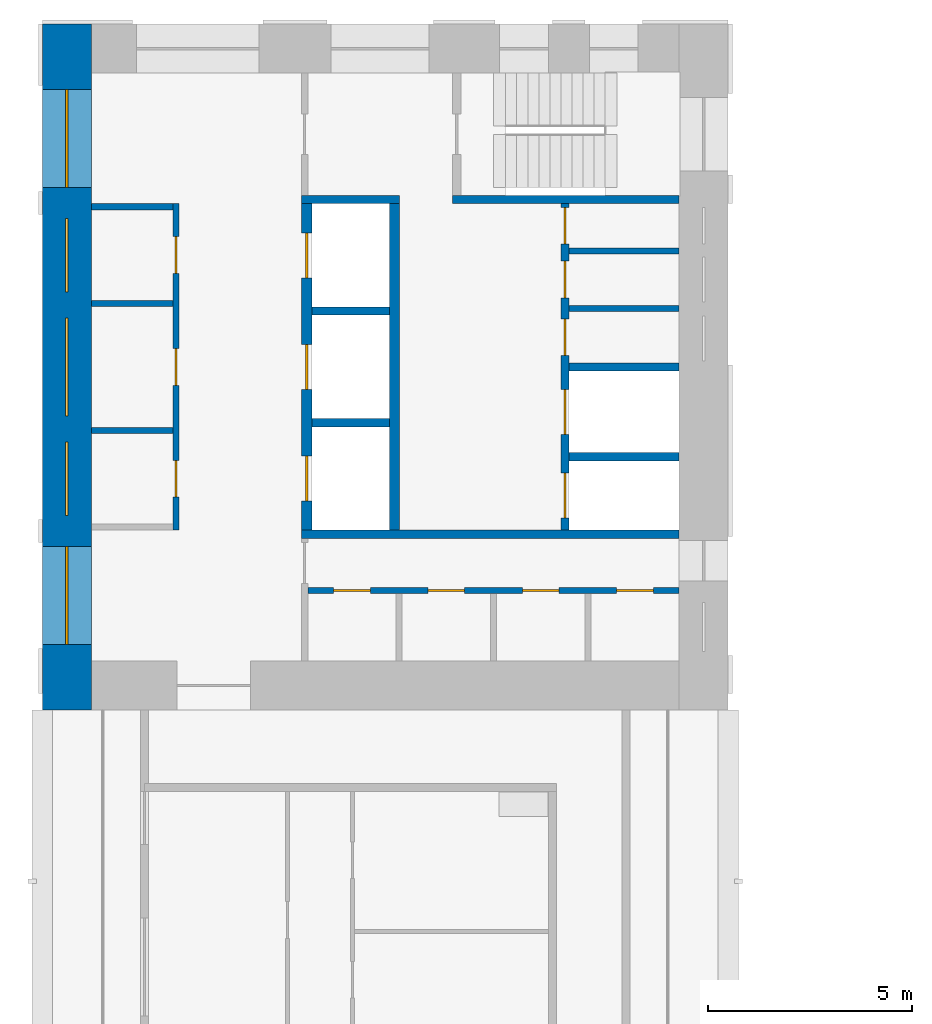
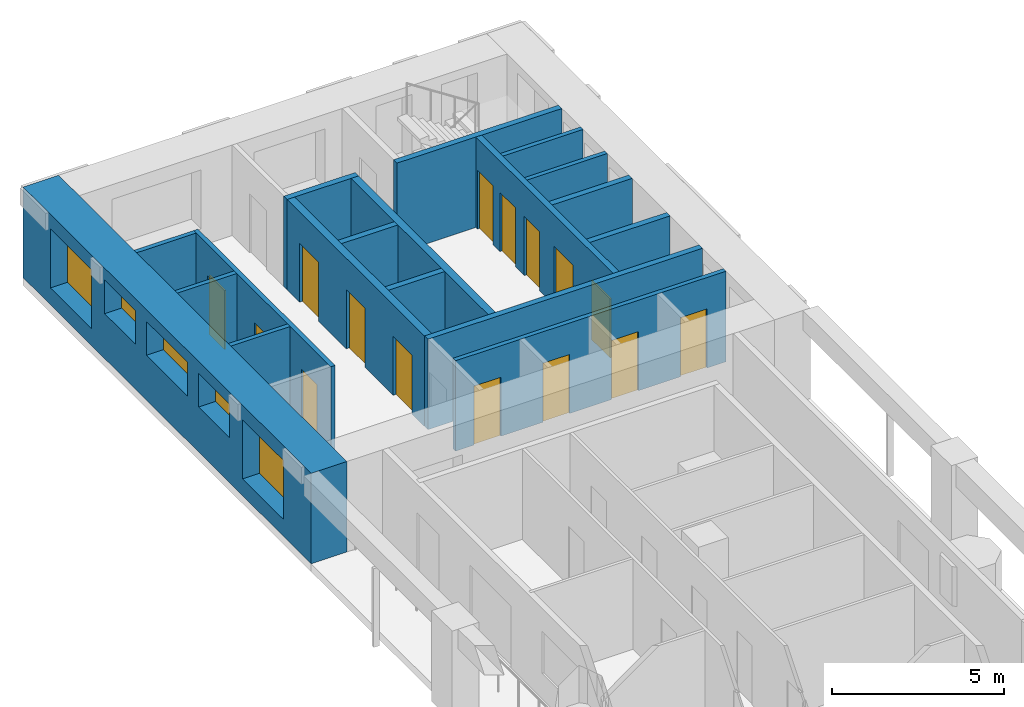
# One storey, part 6 of 13: 18 walls, 15 doors, 5 windows, 20 openings.
"""IFC4 building model written with IfcOpenShell, lengths in metres."""

from ifc_helpers import new_model, si_unit, direction, frame, frame_2d, origin, place, context, subcontext, project, spatial, rectangle, extrude, material, layer, layer_set, type_object, element, fill, save


model = new_model("IFC4")

# Units and contexts
model_context = context("Model", 3, precision=1e-05, world=origin(), true_north=direction((0.0, 1.0)))
body_context = subcontext(model_context, "Body", "Model", "MODEL_VIEW")
ifc_project = project(units=[si_unit("LENGTHUNIT", "METRE"), si_unit("AREAUNIT", "SQUARE_METRE"), si_unit("VOLUMEUNIT", "CUBIC_METRE"), si_unit("PLANEANGLEUNIT", "RADIAN"), si_unit("MASSUNIT", "GRAM", prefix="KILO")], contexts=[model_context])

# Site, building, storey
site_placement = place(None, origin())
site = spatial("IfcSite", under=ifc_project, at=site_placement, CompositionType="ELEMENT")
building_placement = place(site_placement, origin())
building = spatial("IfcBuilding", under=site, at=building_placement, Name="Vermilion Gate Residences", CompositionType="ELEMENT")
storey_placement = place(building_placement, frame((0.0, 0.0, 158.199951171875)))
storey = spatial("IfcBuildingStorey", under=building, at=storey_placement, Name="L40", CompositionType="ELEMENT", Elevation=158.199951171875)

# Walls
ifc_material_1 = material(Name="Masonry blockwork", Category="masonry")
ifc_layer_1 = layer(ifc_material_1, 0.14990234375)
ifc_layer_set_1 = layer_set([ifc_layer_1], Name="BLOCKWORK PARTITION 150 EI 120")
wall_type_1 = type_object("IfcWallType", Name="BLOCKWORK PARTITION 150 EI 120", PredefinedType="PARTITIONING", material=ifc_layer_set_1)
for number, where, z_axis, x_axis, name in (
    (1, (9.60009765625, 54.324951171875, 0.0), (0.0, 0.0, 1.0), (1.0, 0.0, 0.0), "Core room partition B40-RW-W"),
    (2, (9.60009765625, 51.955078125, 0.0), (0.0, 0.0, 1.0), (1.0, 0.0, 0.0), "Core room partition B40-SR-P0"),
    (3, (9.60009765625, 48.844970703125, 0.0), (0.0, 0.0, 1.0), (1.0, 0.0, 0.0), "Core room partition B40-SR-P1"),
):
    element("IfcWall", number, at=place(storey_placement, frame(where, z_axis=z_axis, x_axis=x_axis)), inside=storey, type_object=wall_type_1, Name=name, PredefinedType="PARTITIONING", context=body_context, shape_type="SweptSolid", body=[
        extrude(rectangle(XDim=2.0, YDim=0.14990234375, at=frame_2d((1.0, 0.0))), origin(), (0.0, 0.0, 1.0), 3.219970703125),
    ])

# Wall, openings, doors
wall_1_placement = place(storey_placement, frame((11.675048828125, 54.39990234375, 0.0), z_axis=(0.0, 0.0, 1.0), x_axis=(0.0, -1.0, 0.0)))
wall_1 = element("IfcWall", 4, at=wall_1_placement, inside=storey, type_object=wall_type_1, Name="Core room partition B40-LR-F", PredefinedType="PARTITIONING", context=body_context, shape_type="SweptSolid", body=[
    extrude(rectangle(XDim=8.0, YDim=0.14990234375, at=frame_2d((4.0, 0.0))), origin(), (0.0, 0.0, 1.0), 3.219970703125),
])
opening_1_placement = place(wall_1_placement, frame((0.81005859375, 0.0, 0.0)))
opening_1 = element("IfcOpeningElement", 5, at=opening_1_placement, cuts=wall_1, Name="Opening DK40102", PredefinedType="OPENING", context=body_context, shape_type="SweptSolid", body=[
    extrude(rectangle(XDim=0.89990234375, YDim=2.10009765625, at=frame_2d((0.449951171875, 1.050048828125))), frame((0.0, 0.0849609375, 0.0), z_axis=(0.0, -1.0, 0.0), x_axis=(1.0, 0.0, 0.0)), (0.0, 0.0, 1.0), 0.169921875),
])
opening_2_placement = place(wall_1_placement, frame((3.550048828125, 0.0, 0.0)))
opening_2 = element("IfcOpeningElement", 6, at=opening_2_placement, cuts=wall_1, Name="Opening DK40103", PredefinedType="OPENING", context=body_context, shape_type="SweptSolid", body=[
    extrude(rectangle(XDim=0.89990234375, YDim=2.10009765625, at=frame_2d((0.449951171875, 1.050048828125))), frame((0.0, 0.0849609375, 0.0), z_axis=(0.0, -1.0, 0.0), x_axis=(1.0, 0.0, 0.0)), (0.0, 0.0, 1.0), 0.169921875),
])
opening_3_placement = place(wall_1_placement, frame((6.2900390625, 0.0, 0.0)))
opening_3 = element("IfcOpeningElement", 7, at=opening_3_placement, cuts=wall_1, Name="Opening DK40104", PredefinedType="OPENING", context=body_context, shape_type="SweptSolid", body=[
    extrude(rectangle(XDim=0.89990234375, YDim=2.10009765625, at=frame_2d((0.449951171875, 1.050048828125))), frame((0.0, 0.0849609375, 0.0), z_axis=(0.0, -1.0, 0.0), x_axis=(1.0, 0.0, 0.0)), (0.0, 0.0, 1.0), 0.169921875),
])
ifc_material_2 = material(Name="Steel", Category="steel")
door_type_1 = type_object("IfcDoorType", Name="SERVICE ROOM DOOR FD60 900 X 2100", OperationType="SINGLE_SWING_LEFT", PredefinedType="DOOR", material=ifc_material_2)
door_1_placement = place(opening_1_placement, frame((0.89990234375, 0.0, 0.0), z_axis=(0.0, 0.0, 1.0), x_axis=(-1.0, 0.0, 0.0)))
door_1 = element("IfcDoor", 8, at=door_1_placement, inside=storey, type_object=door_type_1, Name="Refuse room B40", OperationType="SINGLE_SWING_LEFT", OverallHeight=2.10009765625, OverallWidth=0.89990234375, PredefinedType="DOOR", context=body_context, shape_type="SweptSolid", body=[
    extrude(rectangle(XDim=0.89990234375, YDim=2.10009765625, at=frame_2d((0.449951171875, 1.050048828125))), frame((0.0, 0.02490234375, 0.0), z_axis=(0.0, -1.0, 0.0), x_axis=(1.0, 0.0, 0.0)), (0.0, 0.0, 1.0), 0.050048828125),
])
fill(opening_1, door_1)
door_2_placement = place(opening_2_placement, frame((0.89990234375, 0.0, 0.0), z_axis=(0.0, 0.0, 1.0), x_axis=(-1.0, 0.0, 0.0)))
door_2 = element("IfcDoor", 9, at=door_2_placement, inside=storey, type_object=door_type_1, Name="Parcel room B40", OperationType="SINGLE_SWING_RIGHT", OverallHeight=2.10009765625, OverallWidth=0.89990234375, PredefinedType="DOOR", context=body_context, shape_type="SweptSolid", body=[
    extrude(rectangle(XDim=0.89990234375, YDim=2.10009765625, at=frame_2d((0.449951171875, 1.050048828125))), frame((0.0, 0.02490234375, 0.0), z_axis=(0.0, -1.0, 0.0), x_axis=(1.0, 0.0, 0.0)), (0.0, 0.0, 1.0), 0.050048828125),
])
fill(opening_2, door_2)
door_3_placement = place(opening_3_placement, frame((0.89990234375, 0.0, 0.0), z_axis=(0.0, 0.0, 1.0), x_axis=(-1.0, 0.0, 0.0)))
door_3 = element("IfcDoor", 10, at=door_3_placement, inside=storey, type_object=door_type_1, Name="Housekeeping store B40", OperationType="SINGLE_SWING_RIGHT", OverallHeight=2.10009765625, OverallWidth=0.89990234375, PredefinedType="DOOR", context=body_context, shape_type="SweptSolid", body=[
    extrude(rectangle(XDim=0.89990234375, YDim=2.10009765625, at=frame_2d((0.449951171875, 1.050048828125))), frame((0.0, 0.02490234375, 0.0), z_axis=(0.0, -1.0, 0.0), x_axis=(1.0, 0.0, 0.0)), (0.0, 0.0, 1.0), 0.050048828125),
])
fill(opening_3, door_3)

# Walls
for number, where, z_axis, x_axis, name in (
    (11, (21.300048828125, 53.2451171875, 0.0), (0.0, 0.0, 1.0), (1.0, 0.0, 0.0), "Core room partition B40-NR-P0"),
    (12, (21.300048828125, 51.8349609375, 0.0), (0.0, 0.0, 1.0), (1.0, 0.0, 0.0), "Core room partition B40-NR-P1"),
):
    element("IfcWall", number, at=place(storey_placement, frame(where, z_axis=z_axis, x_axis=x_axis)), inside=storey, type_object=wall_type_1, Name=name, PredefinedType="PARTITIONING", context=body_context, shape_type="SweptSolid", body=[
        extrude(rectangle(XDim=2.699951171875, YDim=0.14990234375, at=frame_2d((1.35009765625, 0.0))), origin(), (0.0, 0.0, 1.0), 3.219970703125),
    ])

# Wall, openings, doors
wall_2_placement = place(storey_placement, frame((14.89990234375, 44.925048828125, 0.0), z_axis=(0.0, 0.0, 1.0), x_axis=(1.0, 0.0, 0.0)))
wall_2 = element("IfcWall", 13, at=wall_2_placement, inside=storey, type_object=wall_type_1, Name="Core room partition B40-ES-W", PredefinedType="PARTITIONING", context=body_context, shape_type="SweptSolid", body=[
    extrude(rectangle(XDim=9.10009765625, YDim=0.14990234375, at=frame_2d((4.550048828125, 0.0))), origin(), (0.0, 0.0, 1.0), 3.219970703125),
])
opening_4_placement = place(wall_2_placement, frame((0.63134765625, 0.0, 0.0)))
opening_4 = element("IfcOpeningElement", 14, at=opening_4_placement, cuts=wall_2, Name="Opening DK40116", PredefinedType="OPENING", context=body_context, shape_type="SweptSolid", body=[
    extrude(rectangle(XDim=0.89990234375, YDim=2.10009765625, at=frame_2d((0.449951171875, 1.050048828125))), frame((0.0, 0.0849609375, 0.0), z_axis=(0.0, -1.0, 0.0), x_axis=(1.0, 0.0, 0.0)), (0.0, 0.0, 1.0), 0.169921875),
])
opening_5_placement = place(wall_2_placement, frame((2.94384765625, 0.0, 0.0)))
opening_5 = element("IfcOpeningElement", 15, at=opening_5_placement, cuts=wall_2, Name="Opening DK40117", PredefinedType="OPENING", context=body_context, shape_type="SweptSolid", body=[
    extrude(rectangle(XDim=0.89990234375, YDim=2.10009765625, at=frame_2d((0.449951171875, 1.050048828125))), frame((0.0, 0.0849609375, 0.0), z_axis=(0.0, -1.0, 0.0), x_axis=(1.0, 0.0, 0.0)), (0.0, 0.0, 1.0), 0.169921875),
])
opening_6_placement = place(wall_2_placement, frame((5.25634765625, 0.0, 0.0)))
opening_6 = element("IfcOpeningElement", 16, at=opening_6_placement, cuts=wall_2, Name="Opening DK40118", PredefinedType="OPENING", context=body_context, shape_type="SweptSolid", body=[
    extrude(rectangle(XDim=0.89990234375, YDim=2.10009765625, at=frame_2d((0.449951171875, 1.050048828125))), frame((0.0, 0.0849609375, 0.0), z_axis=(0.0, -1.0, 0.0), x_axis=(1.0, 0.0, 0.0)), (0.0, 0.0, 1.0), 0.169921875),
])
opening_7_placement = place(wall_2_placement, frame((7.56884765625, 0.0, 0.0)))
opening_7 = element("IfcOpeningElement", 17, at=opening_7_placement, cuts=wall_2, Name="Opening DK40119", PredefinedType="OPENING", context=body_context, shape_type="SweptSolid", body=[
    extrude(rectangle(XDim=0.89990234375, YDim=2.10009765625, at=frame_2d((0.449951171875, 1.050048828125))), frame((0.0, 0.0849609375, 0.0), z_axis=(0.0, -1.0, 0.0), x_axis=(1.0, 0.0, 0.0)), (0.0, 0.0, 1.0), 0.169921875),
])
door_4_placement = place(opening_4_placement, frame((0.89990234375, 0.0, 0.0), z_axis=(0.0, 0.0, 1.0), x_axis=(-1.0, 0.0, 0.0)))
door_4 = element("IfcDoor", 18, at=door_4_placement, inside=storey, type_object=door_type_1, Name="Parcel room B40", OperationType="SINGLE_SWING_RIGHT", OverallHeight=2.10009765625, OverallWidth=0.89990234375, PredefinedType="DOOR", context=body_context, shape_type="SweptSolid", body=[
    extrude(rectangle(XDim=0.89990234375, YDim=2.10009765625, at=frame_2d((0.449951171875, 1.050048828125))), frame((0.0, 0.02490234375, 0.0), z_axis=(0.0, -1.0, 0.0), x_axis=(1.0, 0.0, 0.0)), (0.0, 0.0, 1.0), 0.050048828125),
])
fill(opening_4, door_4)
door_5_placement = place(opening_5_placement, frame((0.89990234375, 0.0, 0.0), z_axis=(0.0, 0.0, 1.0), x_axis=(-1.0, 0.0, 0.0)))
door_5 = element("IfcDoor", 19, at=door_5_placement, inside=storey, type_object=door_type_1, Name="Cleaner's store B40", OperationType="SINGLE_SWING_RIGHT", OverallHeight=2.10009765625, OverallWidth=0.89990234375, PredefinedType="DOOR", context=body_context, shape_type="SweptSolid", body=[
    extrude(rectangle(XDim=0.89990234375, YDim=2.10009765625, at=frame_2d((0.449951171875, 1.050048828125))), frame((0.0, 0.02490234375, 0.0), z_axis=(0.0, -1.0, 0.0), x_axis=(1.0, 0.0, 0.0)), (0.0, 0.0, 1.0), 0.050048828125),
])
fill(opening_5, door_5)
door_6_placement = place(opening_6_placement, frame((0.89990234375, 0.0, 0.0), z_axis=(0.0, 0.0, 1.0), x_axis=(-1.0, 0.0, 0.0)))
door_6 = element("IfcDoor", 20, at=door_6_placement, inside=storey, type_object=door_type_1, Name="Electrical room B40", OperationType="SINGLE_SWING_RIGHT", OverallHeight=2.10009765625, OverallWidth=0.89990234375, PredefinedType="DOOR", context=body_context, shape_type="SweptSolid", body=[
    extrude(rectangle(XDim=0.89990234375, YDim=2.10009765625, at=frame_2d((0.449951171875, 1.050048828125))), frame((0.0, 0.02490234375, 0.0), z_axis=(0.0, -1.0, 0.0), x_axis=(1.0, 0.0, 0.0)), (0.0, 0.0, 1.0), 0.050048828125),
])
fill(opening_6, door_6)
door_7_placement = place(opening_7_placement, frame((0.89990234375, 0.0, 0.0), z_axis=(0.0, 0.0, 1.0), x_axis=(-1.0, 0.0, 0.0)))
door_7 = element("IfcDoor", 21, at=door_7_placement, inside=storey, type_object=door_type_1, Name="Storage room B40", OperationType="SINGLE_SWING_RIGHT", OverallHeight=2.10009765625, OverallWidth=0.89990234375, PredefinedType="DOOR", context=body_context, shape_type="SweptSolid", body=[
    extrude(rectangle(XDim=0.89990234375, YDim=2.10009765625, at=frame_2d((0.449951171875, 1.050048828125))), frame((0.0, 0.02490234375, 0.0), z_axis=(0.0, -1.0, 0.0), x_axis=(1.0, 0.0, 0.0)), (0.0, 0.0, 1.0), 0.050048828125),
])
fill(opening_7, door_7)

# Walls
ifc_material_3 = material(Name="Concrete C60", Category="concrete")
ifc_layer_2 = layer(ifc_material_3, 0.199951171875)
ifc_layer_set_2 = layer_set([ifc_layer_2], Name="RC CORE INTERNAL WALL 200 C60")
wall_type_2 = type_object("IfcWallType", Name="RC CORE INTERNAL WALL 200 C60", PredefinedType="SHEAR", material=ifc_layer_set_2)
for number, where, z_axis, x_axis, name in (
    (22, (15.0, 51.7666015625, 0.0), (0.0, 0.0, 1.0), (1.0, 0.0, 0.0), "Core internal wall B40-HR-D1"),
    (23, (15.0, 49.033447265625, 0.0), (0.0, 0.0, 1.0), (1.0, 0.0, 0.0), "Core internal wall B40-HR-D2"),
):
    element("IfcWall", number, at=place(storey_placement, frame(where, z_axis=z_axis, x_axis=x_axis)), inside=storey, type_object=wall_type_2, Name=name, PredefinedType="SHEAR", context=body_context, shape_type="SweptSolid", body=[
        extrude(rectangle(XDim=1.89990234375, YDim=0.199951171875, at=frame_2d((0.949951171875, 0.0))), origin(), (0.0, 0.0, 1.0), 3.219970703125),
    ])
for number, where, z_axis, x_axis, name in (
    (24, (21.300048828125, 50.39990234375, 0.0), (0.0, 0.0, 1.0), (1.0, 0.0, 0.0), "Core internal wall B40-FF-D0"),
    (25, (21.300048828125, 48.199951171875, 0.0), (0.0, 0.0, 1.0), (1.0, 0.0, 0.0), "Core internal wall B40-FF-D1"),
):
    element("IfcWall", number, at=place(storey_placement, frame(where, z_axis=z_axis, x_axis=x_axis)), inside=storey, type_object=wall_type_2, Name=name, PredefinedType="SHEAR", context=body_context, shape_type="SweptSolid", body=[
        extrude(rectangle(XDim=2.699951171875, YDim=0.199951171875, at=frame_2d((1.35009765625, 0.0))), origin(), (0.0, 0.0, 1.0), 3.219970703125),
    ])

# Wall, openings, doors
wall_3_placement = place(storey_placement, frame((21.199951171875, 54.39990234375, 0.0), z_axis=(0.0, 0.0, 1.0), x_axis=(0.0, -1.0, 0.0)))
wall_3 = element("IfcWall", 26, at=wall_3_placement, inside=storey, type_object=wall_type_2, Name="Core internal wall B40-FF-F", PredefinedType="SHEAR", context=body_context, shape_type="SweptSolid", body=[
    extrude(rectangle(XDim=8.0, YDim=0.199951171875, at=frame_2d((4.0, 0.0))), origin(), (0.0, 0.0, 1.0), 3.219970703125),
])
opening_8_placement = place(wall_3_placement, frame((0.090087890625, 0.0, 0.0)))
opening_8 = element("IfcOpeningElement", 27, at=opening_8_placement, cuts=wall_3, Name="Opening DK40108", PredefinedType="OPENING", context=body_context, shape_type="SweptSolid", body=[
    extrude(rectangle(XDim=0.89990234375, YDim=2.10009765625, at=frame_2d((0.449951171875, 1.050048828125))), frame((0.0, 0.10986328125, 0.0), z_axis=(0.0, -1.0, 0.0), x_axis=(1.0, 0.0, 0.0)), (0.0, 0.0, 1.0), 0.219970703125),
])
opening_9_placement = place(wall_3_placement, frame((1.409912109375, 0.0, 0.0)))
opening_9 = element("IfcOpeningElement", 28, at=opening_9_placement, cuts=wall_3, Name="Opening DK40109", PredefinedType="OPENING", context=body_context, shape_type="SweptSolid", body=[
    extrude(rectangle(XDim=0.89990234375, YDim=2.10009765625, at=frame_2d((0.449951171875, 1.050048828125))), frame((0.0, 0.10986328125, 0.0), z_axis=(0.0, -1.0, 0.0), x_axis=(1.0, 0.0, 0.0)), (0.0, 0.0, 1.0), 0.219970703125),
])
opening_10_placement = place(wall_3_placement, frame((2.820068359375, 0.0, 0.0)))
opening_10 = element("IfcOpeningElement", 29, at=opening_10_placement, cuts=wall_3, Name="Opening DK40110", PredefinedType="OPENING", context=body_context, shape_type="SweptSolid", body=[
    extrude(rectangle(XDim=0.89990234375, YDim=2.10009765625, at=frame_2d((0.449951171875, 1.050048828125))), frame((0.0, 0.10986328125, 0.0), z_axis=(0.0, -1.0, 0.0), x_axis=(1.0, 0.0, 0.0)), (0.0, 0.0, 1.0), 0.219970703125),
])
opening_11_placement = place(wall_3_placement, frame((4.550048828125, 0.0, 0.0)))
opening_11 = element("IfcOpeningElement", 30, at=opening_11_placement, cuts=wall_3, Name="Opening LD", PredefinedType="OPENING", context=body_context, shape_type="SweptSolid", body=[
    extrude(rectangle(XDim=1.10009765625, YDim=2.10009765625, at=frame_2d((0.550048828125, 1.050048828125))), frame((0.0, 0.10986328125, 0.0), z_axis=(0.0, -1.0, 0.0), x_axis=(1.0, 0.0, 0.0)), (0.0, 0.0, 1.0), 0.219970703125),
])
opening_12_placement = place(wall_3_placement, frame((6.60009765625, 0.0, 0.0)))
opening_12 = element("IfcOpeningElement", 31, at=opening_12_placement, cuts=wall_3, Name="Opening LD", PredefinedType="OPENING", context=body_context, shape_type="SweptSolid", body=[
    extrude(rectangle(XDim=1.10009765625, YDim=2.10009765625, at=frame_2d((0.550048828125, 1.050048828125))), frame((0.0, 0.10986328125, 0.0), z_axis=(0.0, -1.0, 0.0), x_axis=(1.0, 0.0, 0.0)), (0.0, 0.0, 1.0), 0.219970703125),
])
ifc_material_4 = material(Name="Stainless steel", Category="steel")
door_type_2 = type_object("IfcDoorType", Name="LIFT LANDING DOOR E60 1100 X 2100", OperationType="DOUBLE_DOOR_SLIDING", PredefinedType="DOOR", material=ifc_material_4)
door_8_placement = place(opening_11_placement, origin())
door_8 = element("IfcDoor", 32, at=door_8_placement, inside=storey, type_object=door_type_2, Name="Lift landing door LFB1", OperationType="DOUBLE_DOOR_SLIDING", OverallHeight=2.10009765625, OverallWidth=1.10009765625, PredefinedType="DOOR", context=body_context, shape_type="SweptSolid", body=[
    extrude(rectangle(XDim=1.10009765625, YDim=2.10009765625, at=frame_2d((0.550048828125, 1.050048828125))), frame((0.0, 0.02490234375, 0.0), z_axis=(0.0, -1.0, 0.0), x_axis=(1.0, 0.0, 0.0)), (0.0, 0.0, 1.0), 0.050048828125),
])
fill(opening_11, door_8)
door_9_placement = place(opening_12_placement, origin())
door_9 = element("IfcDoor", 33, at=door_9_placement, inside=storey, type_object=door_type_2, Name="Lift landing door LCB1", OperationType="DOUBLE_DOOR_SLIDING", OverallHeight=2.10009765625, OverallWidth=1.10009765625, PredefinedType="DOOR", context=body_context, shape_type="SweptSolid", body=[
    extrude(rectangle(XDim=1.10009765625, YDim=2.10009765625, at=frame_2d((0.550048828125, 1.050048828125))), frame((0.0, 0.02490234375, 0.0), z_axis=(0.0, -1.0, 0.0), x_axis=(1.0, 0.0, 0.0)), (0.0, 0.0, 1.0), 0.050048828125),
])
fill(opening_12, door_9)
door_10_placement = place(opening_8_placement, origin())
door_10 = element("IfcDoor", 34, at=door_10_placement, inside=storey, type_object=door_type_1, Name="Communications riser B40", OperationType="SINGLE_SWING_RIGHT", OverallHeight=2.10009765625, OverallWidth=0.89990234375, PredefinedType="DOOR", context=body_context, shape_type="SweptSolid", body=[
    extrude(rectangle(XDim=0.89990234375, YDim=2.10009765625, at=frame_2d((0.449951171875, 1.050048828125))), frame((0.0, 0.02490234375, 0.0), z_axis=(0.0, -1.0, 0.0), x_axis=(1.0, 0.0, 0.0)), (0.0, 0.0, 1.0), 0.050048828125),
])
fill(opening_8, door_10)
door_11_placement = place(opening_9_placement, origin())
door_11 = element("IfcDoor", 35, at=door_11_placement, inside=storey, type_object=door_type_1, Name="Refuse room B40", OperationType="SINGLE_SWING_LEFT", OverallHeight=2.10009765625, OverallWidth=0.89990234375, PredefinedType="DOOR", context=body_context, shape_type="SweptSolid", body=[
    extrude(rectangle(XDim=0.89990234375, YDim=2.10009765625, at=frame_2d((0.449951171875, 1.050048828125))), frame((0.0, 0.02490234375, 0.0), z_axis=(0.0, -1.0, 0.0), x_axis=(1.0, 0.0, 0.0)), (0.0, 0.0, 1.0), 0.050048828125),
])
fill(opening_9, door_11)
door_12_placement = place(opening_10_placement, origin())
door_12 = element("IfcDoor", 36, at=door_12_placement, inside=storey, type_object=door_type_1, Name="Parcel room B40", OperationType="SINGLE_SWING_LEFT", OverallHeight=2.10009765625, OverallWidth=0.89990234375, PredefinedType="DOOR", context=body_context, shape_type="SweptSolid", body=[
    extrude(rectangle(XDim=0.89990234375, YDim=2.10009765625, at=frame_2d((0.449951171875, 1.050048828125))), frame((0.0, 0.02490234375, 0.0), z_axis=(0.0, -1.0, 0.0), x_axis=(1.0, 0.0, 0.0)), (0.0, 0.0, 1.0), 0.050048828125),
])
fill(opening_10, door_12)

# Walls
wall_4_placement = place(storey_placement, frame((14.75, 54.5, 0.0), z_axis=(0.0, 0.0, 1.0), x_axis=(1.0, 0.0, 0.0)))
element("IfcWall", 37, at=wall_4_placement, inside=storey, type_object=wall_type_2, Name="Core internal wall B40-WDIV1", PredefinedType="SHEAR", context=body_context, shape_type="SweptSolid", body=[
    extrude(rectangle(XDim=2.39990234375, YDim=0.199951171875, at=frame_2d((1.199951171875, 0.0))), origin(), (0.0, 0.0, 1.0), 3.219970703125),
])
wall_5_placement = place(storey_placement, frame((18.449951171875, 54.5, 0.0), z_axis=(0.0, 0.0, 1.0), x_axis=(1.0, 0.0, 0.0)))
element("IfcWall", 38, at=wall_5_placement, inside=storey, type_object=wall_type_2, Name="Core internal wall B40-WDIV2", PredefinedType="SHEAR", context=body_context, shape_type="SweptSolid", body=[
    extrude(rectangle(XDim=5.550048828125, YDim=0.199951171875, at=frame_2d((2.77490234375, 0.0))), origin(), (0.0, 0.0, 1.0), 3.219970703125),
])
wall_6_placement = place(storey_placement, frame((14.75, 46.300048828125, 0.0), z_axis=(0.0, 0.0, 1.0), x_axis=(1.0, 0.0, 0.0)))
element("IfcWall", 39, at=wall_6_placement, inside=storey, type_object=wall_type_2, Name="Core internal wall B40-EDIV", PredefinedType="SHEAR", context=body_context, shape_type="SweptSolid", body=[
    extrude(rectangle(XDim=9.25, YDim=0.199951171875, at=frame_2d((4.625, 0.0))), origin(), (0.0, 0.0, 1.0), 3.219970703125),
])

# Wall, openings, windows
ifc_material_5 = material(Name="Concrete C60 red-oxide pigmented", Category="concrete")
ifc_layer_3 = layer(ifc_material_5, 1.199951171875)
ifc_layer_set_3 = layer_set([ifc_layer_3], Name="RC CORE WALL 1200 C60 RED OXIDE")
wall_type_3 = type_object("IfcWallType", Name="RC CORE WALL 1200 C60 RED OXIDE", PredefinedType="SHEAR", material=ifc_layer_set_3)
wall_7_placement = place(storey_placement, frame((9.0, 58.800048828125, 0.0), z_axis=(0.0, 0.0, 1.0), x_axis=(0.0, -1.0, 0.0)))
wall_7 = element("IfcWall", 40, at=wall_7_placement, inside=storey, type_object=wall_type_3, Name="Core wall B40-OUT-B0", PredefinedType="SHEAR", context=body_context, shape_type="SweptSolid", body=[
    extrude(rectangle(XDim=16.800048828125, YDim=1.199951171875, at=frame_2d((8.39990234375, 0.0))), origin(), (0.0, 0.0, 1.0), 3.219970703125),
])
opening_13_placement = place(wall_7_placement, frame((1.60009765625, 0.0, 0.60009765625)))
opening_13 = element("IfcOpeningElement", 41, at=opening_13_placement, cuts=wall_7, Name="Opening WKB4001", PredefinedType="OPENING", context=body_context, shape_type="SweptSolid", body=[
    extrude(rectangle(XDim=2.39990234375, YDim=2.10009765625, at=frame_2d((1.199951171875, 1.050048828125))), frame((0.0, 0.60986328125, 0.0), z_axis=(0.0, -1.0, 0.0), x_axis=(1.0, 0.0, 0.0)), (0.0, 0.0, 1.0), 1.219970703125),
])
opening_14_placement = place(wall_7_placement, frame((4.760009765625, 0.0, 1.60009765625)))
opening_14 = element("IfcOpeningElement", 42, at=opening_14_placement, cuts=wall_7, Name="Opening WKB4002", PredefinedType="OPENING", context=body_context, shape_type="SweptSolid", body=[
    extrude(rectangle(XDim=1.800048828125, YDim=1.199951171875, at=frame_2d((0.89990234375, 0.60009765625))), frame((0.0, 0.60986328125, 0.0), z_axis=(0.0, -1.0, 0.0), x_axis=(1.0, 0.0, 0.0)), (0.0, 0.0, 1.0), 1.219970703125),
])
opening_15_placement = place(wall_7_placement, frame((7.199951171875, 0.0, 1.60009765625)))
opening_15 = element("IfcOpeningElement", 43, at=opening_15_placement, cuts=wall_7, Name="Opening WKB4003", PredefinedType="OPENING", context=body_context, shape_type="SweptSolid", body=[
    extrude(rectangle(XDim=2.39990234375, YDim=1.199951171875, at=frame_2d((1.199951171875, 0.60009765625))), frame((0.0, 0.60986328125, 0.0), z_axis=(0.0, -1.0, 0.0), x_axis=(1.0, 0.0, 0.0)), (0.0, 0.0, 1.0), 1.219970703125),
])
opening_16_placement = place(wall_7_placement, frame((10.239990234375, 0.0, 1.60009765625)))
opening_16 = element("IfcOpeningElement", 44, at=opening_16_placement, cuts=wall_7, Name="Opening WKB4004", PredefinedType="OPENING", context=body_context, shape_type="SweptSolid", body=[
    extrude(rectangle(XDim=1.800048828125, YDim=1.199951171875, at=frame_2d((0.89990234375, 0.60009765625))), frame((0.0, 0.60986328125, 0.0), z_axis=(0.0, -1.0, 0.0), x_axis=(1.0, 0.0, 0.0)), (0.0, 0.0, 1.0), 1.219970703125),
])
opening_17_placement = place(wall_7_placement, frame((12.800048828125, 0.0, 0.60009765625)))
opening_17 = element("IfcOpeningElement", 45, at=opening_17_placement, cuts=wall_7, Name="Opening WKB4005", PredefinedType="OPENING", context=body_context, shape_type="SweptSolid", body=[
    extrude(rectangle(XDim=2.39990234375, YDim=2.10009765625, at=frame_2d((1.199951171875, 1.050048828125))), frame((0.0, 0.60986328125, 0.0), z_axis=(0.0, -1.0, 0.0), x_axis=(1.0, 0.0, 0.0)), (0.0, 0.0, 1.0), 1.219970703125),
])
ifc_material_6 = material(Name="Aluminium and clear glass", Category="aluminium")
window_type_1 = type_object("IfcWindowType", Name="CORE LOBBY WINDOW 2400 X 2100", PartitioningType="SINGLE_PANEL", PredefinedType="WINDOW", material=ifc_material_6)
window_1_placement = place(opening_13_placement, origin())
window_1 = element("IfcWindow", 46, at=window_1_placement, inside=storey, type_object=window_type_1, Name="Core lobby window", OverallHeight=2.10009765625, OverallWidth=2.39990234375, PartitioningType="SINGLE_PANEL", PredefinedType="WINDOW", context=body_context, shape_type="SweptSolid", body=[
    extrude(rectangle(XDim=2.39990234375, YDim=2.10009765625, at=frame_2d((1.199951171875, 1.050048828125))), frame((0.0, 0.030029296875, 0.0), z_axis=(0.0, -1.0, 0.0), x_axis=(1.0, 0.0, 0.0)), (0.0, 0.0, 1.0), 0.06005859375),
])
fill(opening_13, window_1)
window_2_placement = place(opening_17_placement, origin())
window_2 = element("IfcWindow", 47, at=window_2_placement, inside=storey, type_object=window_type_1, Name="Core lobby window", OverallHeight=2.10009765625, OverallWidth=2.39990234375, PartitioningType="SINGLE_PANEL", PredefinedType="WINDOW", context=body_context, shape_type="SweptSolid", body=[
    extrude(rectangle(XDim=2.39990234375, YDim=2.10009765625, at=frame_2d((1.199951171875, 1.050048828125))), frame((0.0, 0.030029296875, 0.0), z_axis=(0.0, -1.0, 0.0), x_axis=(1.0, 0.0, 0.0)), (0.0, 0.0, 1.0), 0.06005859375),
])
fill(opening_17, window_2)
ifc_material_7 = material(Name="Aluminium frame with louvre blades", Category="aluminium")
window_type_2 = type_object("IfcWindowType", Name="CORE LOUVRE 1800 X 1200", PartitioningType="SINGLE_PANEL", PredefinedType="WINDOW", material=ifc_material_7)
window_3_placement = place(opening_14_placement, origin())
window_3 = element("IfcWindow", 48, at=window_3_placement, inside=storey, type_object=window_type_2, Name="Core louvre", OverallHeight=1.199951171875, OverallWidth=1.800048828125, PartitioningType="SINGLE_PANEL", PredefinedType="WINDOW", context=body_context, shape_type="SweptSolid", body=[
    extrude(rectangle(XDim=1.800048828125, YDim=1.199951171875, at=frame_2d((0.89990234375, 0.60009765625))), frame((0.0, 0.030029296875, 0.0), z_axis=(0.0, -1.0, 0.0), x_axis=(1.0, 0.0, 0.0)), (0.0, 0.0, 1.0), 0.06005859375),
])
fill(opening_14, window_3)
window_4_placement = place(opening_16_placement, origin())
window_4 = element("IfcWindow", 49, at=window_4_placement, inside=storey, type_object=window_type_2, Name="Core louvre", OverallHeight=1.199951171875, OverallWidth=1.800048828125, PartitioningType="SINGLE_PANEL", PredefinedType="WINDOW", context=body_context, shape_type="SweptSolid", body=[
    extrude(rectangle(XDim=1.800048828125, YDim=1.199951171875, at=frame_2d((0.89990234375, 0.60009765625))), frame((0.0, 0.030029296875, 0.0), z_axis=(0.0, -1.0, 0.0), x_axis=(1.0, 0.0, 0.0)), (0.0, 0.0, 1.0), 0.06005859375),
])
fill(opening_16, window_4)
ifc_material_8 = material(Name="Aluminium frame with louvre blades", Category="aluminium")
window_type_3 = type_object("IfcWindowType", Name="CORE LOUVRE 2400 X 1200", PartitioningType="SINGLE_PANEL", PredefinedType="WINDOW", material=ifc_material_8)
window_5_placement = place(opening_15_placement, origin())
window_5 = element("IfcWindow", 50, at=window_5_placement, inside=storey, type_object=window_type_3, Name="Core louvre", OverallHeight=1.199951171875, OverallWidth=2.39990234375, PartitioningType="SINGLE_PANEL", PredefinedType="WINDOW", context=body_context, shape_type="SweptSolid", body=[
    extrude(rectangle(XDim=2.39990234375, YDim=1.199951171875, at=frame_2d((1.199951171875, 0.60009765625))), frame((0.0, 0.030029296875, 0.0), z_axis=(0.0, -1.0, 0.0), x_axis=(1.0, 0.0, 0.0)), (0.0, 0.0, 1.0), 0.06005859375),
])
fill(opening_15, window_5)

# Wall, openings, doors
ifc_material_9 = material(Name="Concrete C60", Category="concrete")
ifc_layer_4 = layer(ifc_material_9, 0.25)
ifc_layer_set_4 = layer_set([ifc_layer_4], Name="RC LIFT SHAFT WALL 250 C60")
wall_type_4 = type_object("IfcWallType", Name="RC LIFT SHAFT WALL 250 C60", PredefinedType="SHEAR", material=ifc_layer_set_4)
wall_8_placement = place(storey_placement, frame((14.875, 54.39990234375, 0.0), z_axis=(0.0, 0.0, 1.0), x_axis=(0.0, -1.0, 0.0)))
wall_8 = element("IfcWall", 51, at=wall_8_placement, inside=storey, type_object=wall_type_4, Name="Lift shaft wall B40-HR-F", PredefinedType="SHEAR", context=body_context, shape_type="SweptSolid", body=[
    extrude(rectangle(XDim=8.0, YDim=0.25, at=frame_2d((4.0, 0.0))), origin(), (0.0, 0.0, 1.0), 3.219970703125),
])
opening_18_placement = place(wall_8_placement, frame((0.716552734375, 0.0, 0.0)))
opening_18 = element("IfcOpeningElement", 52, at=opening_18_placement, cuts=wall_8, Name="Opening LD", PredefinedType="OPENING", context=body_context, shape_type="SweptSolid", body=[
    extrude(rectangle(XDim=1.10009765625, YDim=2.10009765625, at=frame_2d((0.550048828125, 1.050048828125))), frame((0.0, 0.135009765625, 0.0), z_axis=(0.0, -1.0, 0.0), x_axis=(1.0, 0.0, 0.0)), (0.0, 0.0, 1.0), 0.27001953125),
])
opening_19_placement = place(wall_8_placement, frame((3.449951171875, 0.0, 0.0)))
opening_19 = element("IfcOpeningElement", 53, at=opening_19_placement, cuts=wall_8, Name="Opening LD", PredefinedType="OPENING", context=body_context, shape_type="SweptSolid", body=[
    extrude(rectangle(XDim=1.10009765625, YDim=2.10009765625, at=frame_2d((0.550048828125, 1.050048828125))), frame((0.0, 0.135009765625, 0.0), z_axis=(0.0, -1.0, 0.0), x_axis=(1.0, 0.0, 0.0)), (0.0, 0.0, 1.0), 0.27001953125),
])
opening_20_placement = place(wall_8_placement, frame((6.183349609375, 0.0, 0.0)))
opening_20 = element("IfcOpeningElement", 54, at=opening_20_placement, cuts=wall_8, Name="Opening LD", PredefinedType="OPENING", context=body_context, shape_type="SweptSolid", body=[
    extrude(rectangle(XDim=1.10009765625, YDim=2.10009765625, at=frame_2d((0.550048828125, 1.050048828125))), frame((0.0, 0.135009765625, 0.0), z_axis=(0.0, -1.0, 0.0), x_axis=(1.0, 0.0, 0.0)), (0.0, 0.0, 1.0), 0.27001953125),
])
door_13_placement = place(opening_18_placement, origin())
door_13 = element("IfcDoor", 55, at=door_13_placement, inside=storey, type_object=door_type_2, Name="Lift landing door HRB1", OperationType="DOUBLE_DOOR_SLIDING", OverallHeight=2.10009765625, OverallWidth=1.10009765625, PredefinedType="DOOR", context=body_context, shape_type="SweptSolid", body=[
    extrude(rectangle(XDim=1.10009765625, YDim=2.10009765625, at=frame_2d((0.550048828125, 1.050048828125))), frame((0.0, 0.02490234375, 0.0), z_axis=(0.0, -1.0, 0.0), x_axis=(1.0, 0.0, 0.0)), (0.0, 0.0, 1.0), 0.050048828125),
])
fill(opening_18, door_13)
door_14_placement = place(opening_19_placement, origin())
door_14 = element("IfcDoor", 56, at=door_14_placement, inside=storey, type_object=door_type_2, Name="Lift landing door HRB2", OperationType="DOUBLE_DOOR_SLIDING", OverallHeight=2.10009765625, OverallWidth=1.10009765625, PredefinedType="DOOR", context=body_context, shape_type="SweptSolid", body=[
    extrude(rectangle(XDim=1.10009765625, YDim=2.10009765625, at=frame_2d((0.550048828125, 1.050048828125))), frame((0.0, 0.02490234375, 0.0), z_axis=(0.0, -1.0, 0.0), x_axis=(1.0, 0.0, 0.0)), (0.0, 0.0, 1.0), 0.050048828125),
])
fill(opening_19, door_14)
door_15_placement = place(opening_20_placement, origin())
door_15 = element("IfcDoor", 57, at=door_15_placement, inside=storey, type_object=door_type_2, Name="Lift landing door HRB3", OperationType="DOUBLE_DOOR_SLIDING", OverallHeight=2.10009765625, OverallWidth=1.10009765625, PredefinedType="DOOR", context=body_context, shape_type="SweptSolid", body=[
    extrude(rectangle(XDim=1.10009765625, YDim=2.10009765625, at=frame_2d((0.550048828125, 1.050048828125))), frame((0.0, 0.02490234375, 0.0), z_axis=(0.0, -1.0, 0.0), x_axis=(1.0, 0.0, 0.0)), (0.0, 0.0, 1.0), 0.050048828125),
])
fill(opening_20, door_15)

# Wall
wall_9_placement = place(storey_placement, frame((17.02490234375, 54.39990234375, 0.0), z_axis=(0.0, 0.0, 1.0), x_axis=(0.0, -1.0, 0.0)))
element("IfcWall", 58, at=wall_9_placement, inside=storey, type_object=wall_type_4, Name="Lift shaft wall B40-HR-B", PredefinedType="SHEAR", context=body_context, shape_type="SweptSolid", body=[
    extrude(rectangle(XDim=8.0, YDim=0.25, at=frame_2d((4.0, 0.0))), origin(), (0.0, 0.0, 1.0), 3.219970703125),
])

save(model, "model.ifc")
